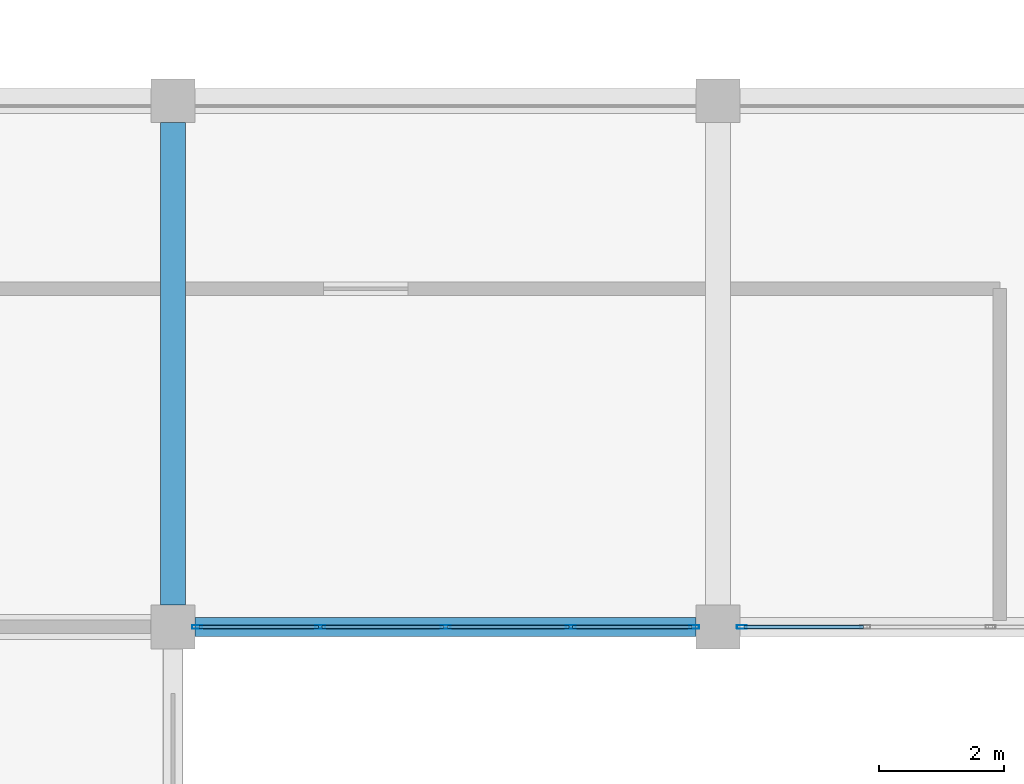
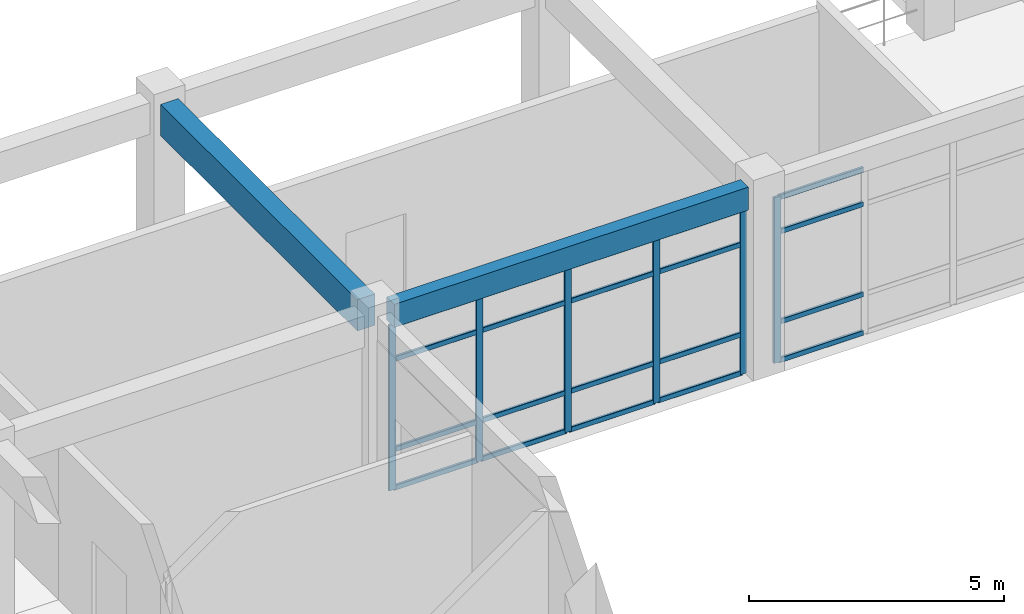
# One storey, part 24 of 76: 26 members, 2 beams, 2 elements without a shape of their own.
"""IFC4 building model written with IfcOpenShell, lengths in metres."""

from ifc_helpers import new_model, si_unit, derived_unit, direction, frame, origin, origin_2d, place, context, subcontext, project, spatial, rectangle, hollow_rectangle, extrude, material, layer, layer_set, material_profile, profile_set, type_object, element, aggregate, save


model = new_model("IFC4")

# Units and contexts
model_context = context("Model", 3, precision=1e-05, world=origin(), true_north=direction((0.0, 1.0)))
body_context = subcontext(model_context, "Body", "Model", "MODEL_VIEW")
ifc_project = project(units=[si_unit("LENGTHUNIT", "METRE"), si_unit("AREAUNIT", "SQUARE_METRE"), si_unit("VOLUMEUNIT", "CUBIC_METRE"), si_unit("PLANEANGLEUNIT", "RADIAN"), si_unit("MASSUNIT", "GRAM", prefix="KILO"), derived_unit("THERMALTRANSMITTANCEUNIT", [(si_unit("MASSUNIT", "GRAM", prefix="KILO"), 1), (si_unit("TIMEUNIT", "SECOND"), -3), (si_unit("THERMODYNAMICTEMPERATUREUNIT", "KELVIN"), -1)])], contexts=[model_context])

# Site, building, storey
site_placement = place(None, origin())
site = spatial("IfcSite", under=ifc_project, at=site_placement, CompositionType="ELEMENT")
building_placement = place(site_placement, origin())
building = spatial("IfcBuilding", under=site, at=building_placement, Name="Qinzheling Arcade Emporium", CompositionType="ELEMENT")
storey_placement = place(building_placement, frame((0.0, 0.0, 26.699951171875)))
storey = spatial("IfcBuildingStorey", under=building, at=storey_placement, Name="L06", CompositionType="ELEMENT", Elevation=26.699951171875)

# Curtain wall, member
ifc_material_1 = material(Name="Anodised aluminium and solar-control double glazing", Category="aluminium")
ifc_layer = layer(ifc_material_1, 0.159912109375, Name="Anodised aluminium and solar-control double glazing", Category="aluminium")
ifc_layer_set = layer_set([ifc_layer], Name="Anodised aluminium and solar-control double glazing")
curtain_wall_type = type_object("IfcCurtainWallType", Name="Atrium Clerestory Curtain Wall", PredefinedType="NOTDEFINED", material=ifc_layer_set)
curtain_wall_1_placement = place(storey_placement, origin())
curtain_wall_1 = element("IfcCurtainWall", 1, at=curtain_wall_1_placement, inside=storey, type_object=curtain_wall_type, Name="Curtain Wall CW-L06-378", PredefinedType="NOTDEFINED")
ifc_material_2 = material(Name="Anodised aluminium 6063-T6", Category="aluminium")
ifc_material_profile_1 = material_profile(ifc_material_2, hollow_rectangle(XDim=0.06005859375, YDim=0.159912109375, WallThickness=0.00390625, InnerFilletRadius=0.00390625, OuterFilletRadius=0.008056640625, at=origin_2d()), Name="RHS 160x60x4", Category="aluminium")
ifc_profile_set_1 = profile_set([ifc_material_profile_1], Name="Anodised aluminium 6063-T6")
member_type_1 = type_object("IfcMemberType", Name="Curtain Wall Mullion RHS160x60", PredefinedType="MULLION", material=ifc_profile_set_1)
member_1_placement = place(storey_placement, frame((78.681884765625, 42.0, 0.0), z_axis=(0.0, 0.0, 1.0), x_axis=(0.0, -1.0, 0.0)))
member_1 = element("IfcMember", 2, at=member_1_placement, type_object=member_type_1, Name="CW03 mullion 5", PredefinedType="MULLION", context=body_context, shape_type="SweptSolid", body=[
    extrude(hollow_rectangle(XDim=0.06005859375, YDim=0.159912109375, WallThickness=0.00390625, InnerFilletRadius=0.00390625, OuterFilletRadius=0.008056640625, at=origin_2d()), origin(), (0.0, 0.0, 1.0), 3.955078125),
])

# Curtain wall, members
curtain_wall_2_placement = place(storey_placement, origin())
curtain_wall_2 = element("IfcCurtainWall", 3, at=curtain_wall_2_placement, inside=storey, type_object=curtain_wall_type, Name="Curtain Wall CW-L06-379", PredefinedType="NOTDEFINED")
member_2_placement = place(storey_placement, frame((77.91796875, 42.0, 0.0), z_axis=(0.0, 0.0, 1.0), x_axis=(0.0, -1.0, 0.0)))
member_2 = element("IfcMember", 4, at=member_2_placement, type_object=member_type_1, Name="CW03 mullion 1", PredefinedType="MULLION", context=body_context, shape_type="SweptSolid", body=[
    extrude(hollow_rectangle(XDim=0.06005859375, YDim=0.159912109375, WallThickness=0.00390625, InnerFilletRadius=0.00390625, OuterFilletRadius=0.008056640625, at=origin_2d()), origin(), (0.0, 0.0, 1.0), 3.955078125),
])
member_3_placement = place(storey_placement, frame((75.948974609375, 42.0, 0.0), z_axis=(0.0, 0.0, 1.0), x_axis=(0.0, -1.0, 0.0)))
member_3 = element("IfcMember", 5, at=member_3_placement, type_object=member_type_1, Name="CW03 mullion 2", PredefinedType="MULLION", context=body_context, shape_type="SweptSolid", body=[
    extrude(hollow_rectangle(XDim=0.06005859375, YDim=0.159912109375, WallThickness=0.00390625, InnerFilletRadius=0.00390625, OuterFilletRadius=0.008056640625, at=origin_2d()), origin(), (0.0, 0.0, 1.0), 3.955078125),
])
member_4_placement = place(storey_placement, frame((73.949951171875, 42.0, 0.0), z_axis=(0.0, 0.0, 1.0), x_axis=(0.0, -1.0, 0.0)))
member_4 = element("IfcMember", 6, at=member_4_placement, type_object=member_type_1, Name="CW03 mullion 3", PredefinedType="MULLION", context=body_context, shape_type="SweptSolid", body=[
    extrude(hollow_rectangle(XDim=0.06005859375, YDim=0.159912109375, WallThickness=0.00390625, InnerFilletRadius=0.00390625, OuterFilletRadius=0.008056640625, at=origin_2d()), origin(), (0.0, 0.0, 1.0), 3.955078125),
])
member_5_placement = place(storey_placement, frame((71.950927734375, 42.0, 0.0), z_axis=(0.0, 0.0, 1.0), x_axis=(0.0, -1.0, 0.0)))
member_5 = element("IfcMember", 7, at=member_5_placement, type_object=member_type_1, Name="CW03 mullion 4", PredefinedType="MULLION", context=body_context, shape_type="SweptSolid", body=[
    extrude(hollow_rectangle(XDim=0.06005859375, YDim=0.159912109375, WallThickness=0.00390625, InnerFilletRadius=0.00390625, OuterFilletRadius=0.008056640625, at=origin_2d()), origin(), (0.0, 0.0, 1.0), 3.955078125),
])
member_6_placement = place(storey_placement, frame((69.98193359375, 42.0, 0.0), z_axis=(0.0, 0.0, 1.0), x_axis=(0.0, -1.0, 0.0)))
member_6 = element("IfcMember", 8, at=member_6_placement, type_object=member_type_1, Name="CW03 mullion 5", PredefinedType="MULLION", context=body_context, shape_type="SweptSolid", body=[
    extrude(hollow_rectangle(XDim=0.06005859375, YDim=0.159912109375, WallThickness=0.00390625, InnerFilletRadius=0.00390625, OuterFilletRadius=0.008056640625, at=origin_2d()), origin(), (0.0, 0.0, 1.0), 3.955078125),
])

# Member
ifc_material_profile_2 = material_profile(ifc_material_2, hollow_rectangle(XDim=0.06005859375, YDim=0.1201171875, WallThickness=0.00390625, InnerFilletRadius=0.00390625, OuterFilletRadius=0.008056640625, at=origin_2d()), Name="RHS 120x60x4", Category="aluminium")
ifc_profile_set_2 = profile_set([ifc_material_profile_2], Name="Anodised aluminium 6063-T6")
member_type_2 = type_object("IfcMemberType", Name="Curtain Wall Transom RHS120x60", PredefinedType="USERDEFINED", material=ifc_profile_set_2)
member_7_placement = place(storey_placement, frame((80.62109375, 42.0, 0.030029296875), z_axis=(-1.0, 0.0, 0.0), x_axis=(0.0, -1.0, 0.0)))
member_7 = element("IfcMember", 9, at=member_7_placement, type_object=member_type_2, Name="CW03 transom 4.1", ObjectType="TRANSOM", PredefinedType="USERDEFINED", context=body_context, shape_type="SweptSolid", body=[
    extrude(hollow_rectangle(XDim=0.06005859375, YDim=0.1201171875, WallThickness=0.00390625, InnerFilletRadius=0.00390625, OuterFilletRadius=0.008056640625, at=origin_2d()), origin(), (0.0, 0.0, 1.0), 1.9091796875),
])

member_8_placement = place(storey_placement, frame((80.62109375, 42.0, 0.949951171875), z_axis=(-1.0, 0.0, 0.0), x_axis=(0.0, -1.0, 0.0)))
member_8 = element("IfcMember", 10, at=member_8_placement, type_object=member_type_2, Name="CW03 transom 4.2", ObjectType="TRANSOM", PredefinedType="USERDEFINED", context=body_context, shape_type="SweptSolid", body=[
    extrude(hollow_rectangle(XDim=0.06005859375, YDim=0.1201171875, WallThickness=0.00390625, InnerFilletRadius=0.00390625, OuterFilletRadius=0.008056640625, at=origin_2d()), origin(), (0.0, 0.0, 1.0), 1.9091796875),
])

member_9_placement = place(storey_placement, frame((80.62109375, 42.0, 3.10498046875), z_axis=(-1.0, 0.0, 0.0), x_axis=(0.0, -1.0, 0.0)))
member_9 = element("IfcMember", 11, at=member_9_placement, type_object=member_type_2, Name="CW03 transom 4.3", ObjectType="TRANSOM", PredefinedType="USERDEFINED", context=body_context, shape_type="SweptSolid", body=[
    extrude(hollow_rectangle(XDim=0.06005859375, YDim=0.1201171875, WallThickness=0.00390625, InnerFilletRadius=0.00390625, OuterFilletRadius=0.008056640625, at=origin_2d()), origin(), (0.0, 0.0, 1.0), 1.9091796875),
])

member_10_placement = place(storey_placement, frame((80.62109375, 42.0, 3.925048828125), z_axis=(-1.0, 0.0, 0.0), x_axis=(0.0, -1.0, 0.0)))
member_10 = element("IfcMember", 12, at=member_10_placement, type_object=member_type_2, Name="CW03 transom 4.4", ObjectType="TRANSOM", PredefinedType="USERDEFINED", context=body_context, shape_type="SweptSolid", body=[
    extrude(hollow_rectangle(XDim=0.06005859375, YDim=0.1201171875, WallThickness=0.00390625, InnerFilletRadius=0.00390625, OuterFilletRadius=0.008056640625, at=origin_2d()), origin(), (0.0, 0.0, 1.0), 1.9091796875),
])

aggregate(curtain_wall_1, [member_1, member_7, member_8, member_9, member_10])

member_11_placement = place(storey_placement, frame((77.887939453125, 42.0, 0.030029296875), z_axis=(-1.0, 0.0, 0.0), x_axis=(0.0, -1.0, 0.0)))
member_11 = element("IfcMember", 13, at=member_11_placement, type_object=member_type_2, Name="CW03 transom 1.1", ObjectType="TRANSOM", PredefinedType="USERDEFINED", context=body_context, shape_type="SweptSolid", body=[
    extrude(hollow_rectangle(XDim=0.06005859375, YDim=0.1201171875, WallThickness=0.00390625, InnerFilletRadius=0.00390625, OuterFilletRadius=0.008056640625, at=origin_2d()), origin(), (0.0, 0.0, 1.0), 1.908935546875),
])

member_12_placement = place(storey_placement, frame((77.887939453125, 42.0, 0.949951171875), z_axis=(-1.0, 0.0, 0.0), x_axis=(0.0, -1.0, 0.0)))
member_12 = element("IfcMember", 14, at=member_12_placement, type_object=member_type_2, Name="CW03 transom 1.2", ObjectType="TRANSOM", PredefinedType="USERDEFINED", context=body_context, shape_type="SweptSolid", body=[
    extrude(hollow_rectangle(XDim=0.06005859375, YDim=0.1201171875, WallThickness=0.00390625, InnerFilletRadius=0.00390625, OuterFilletRadius=0.008056640625, at=origin_2d()), origin(), (0.0, 0.0, 1.0), 1.908935546875),
])

member_13_placement = place(storey_placement, frame((77.887939453125, 42.0, 3.10498046875), z_axis=(-1.0, 0.0, 0.0), x_axis=(0.0, -1.0, 0.0)))
member_13 = element("IfcMember", 15, at=member_13_placement, type_object=member_type_2, Name="CW03 transom 1.3", ObjectType="TRANSOM", PredefinedType="USERDEFINED", context=body_context, shape_type="SweptSolid", body=[
    extrude(hollow_rectangle(XDim=0.06005859375, YDim=0.1201171875, WallThickness=0.00390625, InnerFilletRadius=0.00390625, OuterFilletRadius=0.008056640625, at=origin_2d()), origin(), (0.0, 0.0, 1.0), 1.908935546875),
])

member_14_placement = place(storey_placement, frame((77.887939453125, 42.0, 3.925048828125), z_axis=(-1.0, 0.0, 0.0), x_axis=(0.0, -1.0, 0.0)))
member_14 = element("IfcMember", 16, at=member_14_placement, type_object=member_type_2, Name="CW03 transom 1.4", ObjectType="TRANSOM", PredefinedType="USERDEFINED", context=body_context, shape_type="SweptSolid", body=[
    extrude(hollow_rectangle(XDim=0.06005859375, YDim=0.1201171875, WallThickness=0.00390625, InnerFilletRadius=0.00390625, OuterFilletRadius=0.008056640625, at=origin_2d()), origin(), (0.0, 0.0, 1.0), 1.908935546875),
])

member_15_placement = place(storey_placement, frame((75.9189453125, 42.0, 0.030029296875), z_axis=(-1.0, 0.0, 0.0), x_axis=(0.0, -1.0, 0.0)))
member_15 = element("IfcMember", 17, at=member_15_placement, type_object=member_type_2, Name="CW03 transom 2.1", ObjectType="TRANSOM", PredefinedType="USERDEFINED", context=body_context, shape_type="SweptSolid", body=[
    extrude(hollow_rectangle(XDim=0.06005859375, YDim=0.1201171875, WallThickness=0.00390625, InnerFilletRadius=0.00390625, OuterFilletRadius=0.008056640625, at=origin_2d()), origin(), (0.0, 0.0, 1.0), 1.93896484375),
])

member_16_placement = place(storey_placement, frame((75.9189453125, 42.0, 0.949951171875), z_axis=(-1.0, 0.0, 0.0), x_axis=(0.0, -1.0, 0.0)))
member_16 = element("IfcMember", 18, at=member_16_placement, type_object=member_type_2, Name="CW03 transom 2.2", ObjectType="TRANSOM", PredefinedType="USERDEFINED", context=body_context, shape_type="SweptSolid", body=[
    extrude(hollow_rectangle(XDim=0.06005859375, YDim=0.1201171875, WallThickness=0.00390625, InnerFilletRadius=0.00390625, OuterFilletRadius=0.008056640625, at=origin_2d()), origin(), (0.0, 0.0, 1.0), 1.93896484375),
])

member_17_placement = place(storey_placement, frame((75.9189453125, 42.0, 3.10498046875), z_axis=(-1.0, 0.0, 0.0), x_axis=(0.0, -1.0, 0.0)))
member_17 = element("IfcMember", 19, at=member_17_placement, type_object=member_type_2, Name="CW03 transom 2.3", ObjectType="TRANSOM", PredefinedType="USERDEFINED", context=body_context, shape_type="SweptSolid", body=[
    extrude(hollow_rectangle(XDim=0.06005859375, YDim=0.1201171875, WallThickness=0.00390625, InnerFilletRadius=0.00390625, OuterFilletRadius=0.008056640625, at=origin_2d()), origin(), (0.0, 0.0, 1.0), 1.93896484375),
])

member_18_placement = place(storey_placement, frame((75.9189453125, 42.0, 3.925048828125), z_axis=(-1.0, 0.0, 0.0), x_axis=(0.0, -1.0, 0.0)))
member_18 = element("IfcMember", 20, at=member_18_placement, type_object=member_type_2, Name="CW03 transom 2.4", ObjectType="TRANSOM", PredefinedType="USERDEFINED", context=body_context, shape_type="SweptSolid", body=[
    extrude(hollow_rectangle(XDim=0.06005859375, YDim=0.1201171875, WallThickness=0.00390625, InnerFilletRadius=0.00390625, OuterFilletRadius=0.008056640625, at=origin_2d()), origin(), (0.0, 0.0, 1.0), 1.93896484375),
])

member_19_placement = place(storey_placement, frame((73.919921875, 42.0, 0.030029296875), z_axis=(-1.0, 0.0, 0.0), x_axis=(0.0, -1.0, 0.0)))
member_19 = element("IfcMember", 21, at=member_19_placement, type_object=member_type_2, Name="CW03 transom 3.1", ObjectType="TRANSOM", PredefinedType="USERDEFINED", context=body_context, shape_type="SweptSolid", body=[
    extrude(hollow_rectangle(XDim=0.06005859375, YDim=0.1201171875, WallThickness=0.00390625, InnerFilletRadius=0.00390625, OuterFilletRadius=0.008056640625, at=origin_2d()), origin(), (0.0, 0.0, 1.0), 1.93896484375),
])

member_20_placement = place(storey_placement, frame((73.919921875, 42.0, 0.949951171875), z_axis=(-1.0, 0.0, 0.0), x_axis=(0.0, -1.0, 0.0)))
member_20 = element("IfcMember", 22, at=member_20_placement, type_object=member_type_2, Name="CW03 transom 3.2", ObjectType="TRANSOM", PredefinedType="USERDEFINED", context=body_context, shape_type="SweptSolid", body=[
    extrude(hollow_rectangle(XDim=0.06005859375, YDim=0.1201171875, WallThickness=0.00390625, InnerFilletRadius=0.00390625, OuterFilletRadius=0.008056640625, at=origin_2d()), origin(), (0.0, 0.0, 1.0), 1.93896484375),
])

member_21_placement = place(storey_placement, frame((73.919921875, 42.0, 3.10498046875), z_axis=(-1.0, 0.0, 0.0), x_axis=(0.0, -1.0, 0.0)))
member_21 = element("IfcMember", 23, at=member_21_placement, type_object=member_type_2, Name="CW03 transom 3.3", ObjectType="TRANSOM", PredefinedType="USERDEFINED", context=body_context, shape_type="SweptSolid", body=[
    extrude(hollow_rectangle(XDim=0.06005859375, YDim=0.1201171875, WallThickness=0.00390625, InnerFilletRadius=0.00390625, OuterFilletRadius=0.008056640625, at=origin_2d()), origin(), (0.0, 0.0, 1.0), 1.93896484375),
])

member_22_placement = place(storey_placement, frame((73.919921875, 42.0, 3.925048828125), z_axis=(-1.0, 0.0, 0.0), x_axis=(0.0, -1.0, 0.0)))
member_22 = element("IfcMember", 24, at=member_22_placement, type_object=member_type_2, Name="CW03 transom 3.4", ObjectType="TRANSOM", PredefinedType="USERDEFINED", context=body_context, shape_type="SweptSolid", body=[
    extrude(hollow_rectangle(XDim=0.06005859375, YDim=0.1201171875, WallThickness=0.00390625, InnerFilletRadius=0.00390625, OuterFilletRadius=0.008056640625, at=origin_2d()), origin(), (0.0, 0.0, 1.0), 1.93896484375),
])

member_23_placement = place(storey_placement, frame((71.9208984375, 42.0, 0.030029296875), z_axis=(-1.0, 0.0, 0.0), x_axis=(0.0, -1.0, 0.0)))
member_23 = element("IfcMember", 25, at=member_23_placement, type_object=member_type_2, Name="CW03 transom 4.1", ObjectType="TRANSOM", PredefinedType="USERDEFINED", context=body_context, shape_type="SweptSolid", body=[
    extrude(hollow_rectangle(XDim=0.06005859375, YDim=0.1201171875, WallThickness=0.00390625, InnerFilletRadius=0.00390625, OuterFilletRadius=0.008056640625, at=origin_2d()), origin(), (0.0, 0.0, 1.0), 1.908935546875),
])

member_24_placement = place(storey_placement, frame((71.9208984375, 42.0, 0.949951171875), z_axis=(-1.0, 0.0, 0.0), x_axis=(0.0, -1.0, 0.0)))
member_24 = element("IfcMember", 26, at=member_24_placement, type_object=member_type_2, Name="CW03 transom 4.2", ObjectType="TRANSOM", PredefinedType="USERDEFINED", context=body_context, shape_type="SweptSolid", body=[
    extrude(hollow_rectangle(XDim=0.06005859375, YDim=0.1201171875, WallThickness=0.00390625, InnerFilletRadius=0.00390625, OuterFilletRadius=0.008056640625, at=origin_2d()), origin(), (0.0, 0.0, 1.0), 1.908935546875),
])

member_25_placement = place(storey_placement, frame((71.9208984375, 42.0, 3.10498046875), z_axis=(-1.0, 0.0, 0.0), x_axis=(0.0, -1.0, 0.0)))
member_25 = element("IfcMember", 27, at=member_25_placement, type_object=member_type_2, Name="CW03 transom 4.3", ObjectType="TRANSOM", PredefinedType="USERDEFINED", context=body_context, shape_type="SweptSolid", body=[
    extrude(hollow_rectangle(XDim=0.06005859375, YDim=0.1201171875, WallThickness=0.00390625, InnerFilletRadius=0.00390625, OuterFilletRadius=0.008056640625, at=origin_2d()), origin(), (0.0, 0.0, 1.0), 1.908935546875),
])

member_26_placement = place(storey_placement, frame((71.9208984375, 42.0, 3.925048828125), z_axis=(-1.0, 0.0, 0.0), x_axis=(0.0, -1.0, 0.0)))
member_26 = element("IfcMember", 28, at=member_26_placement, type_object=member_type_2, Name="CW03 transom 4.4", ObjectType="TRANSOM", PredefinedType="USERDEFINED", context=body_context, shape_type="SweptSolid", body=[
    extrude(hollow_rectangle(XDim=0.06005859375, YDim=0.1201171875, WallThickness=0.00390625, InnerFilletRadius=0.00390625, OuterFilletRadius=0.008056640625, at=origin_2d()), origin(), (0.0, 0.0, 1.0), 1.908935546875),
])

aggregate(curtain_wall_2, [member_2, member_3, member_4, member_5, member_6, member_11, member_12, member_13, member_14, member_15, member_16, member_17, member_18, member_19, member_20, member_21, member_22, member_23, member_24, member_25, member_26])

# Beams
ifc_material_3 = material(Name="Concrete C40", Category="concrete")
ifc_material_profile_3 = material_profile(ifc_material_3, rectangle(XDim=0.39990234375, YDim=0.75, at=origin_2d()), Name="RC 400x750", Category="concrete")
ifc_profile_set_3 = profile_set([ifc_material_profile_3], Name="Concrete C40")
beam_type_1 = type_object("IfcBeamType", Name="RC Interior Tie Beam 400x750 C40", PredefinedType="BEAM", material=ifc_profile_set_3)
beam_1_placement = place(storey_placement, frame((69.60009765625, 42.35009765625, 4.14501953125), z_axis=(0.0, 1.0, 0.0), x_axis=(-1.0, 0.0, 0.0)))
element("IfcBeam", 29, at=beam_1_placement, inside=storey, type_object=beam_type_1, Name="Beam BM-L06-Y-9-F", PredefinedType="BEAM", context=body_context, shape_type="SweptSolid", body=[
    extrude(rectangle(XDim=0.39990234375, YDim=0.75, at=origin_2d()), origin(), (0.0, 0.0, 1.0), 7.699951171875),
])
ifc_material_profile_4 = material_profile(ifc_material_3, rectangle(XDim=0.300048828125, YDim=0.550048828125, at=origin_2d()), Name="RC 300x550", Category="concrete")
ifc_profile_set_4 = profile_set([ifc_material_profile_4], Name="Concrete C40")
beam_type_2 = type_object("IfcBeamType", Name="RC Terrace Spandrel Beam 300x550 C40", PredefinedType="SPANDREL", material=ifc_profile_set_4)
beam_2_placement = place(storey_placement, frame((69.949951171875, 42.0, 4.2451171875), z_axis=(1.0, 0.0, 0.0), x_axis=(0.0, 1.0, 0.0)))
element("IfcBeam", 30, at=beam_2_placement, inside=storey, type_object=beam_type_2, Name="Beam BM-L06-X-F-9", PredefinedType="SPANDREL", context=body_context, shape_type="SweptSolid", body=[
    extrude(rectangle(XDim=0.300048828125, YDim=0.550048828125, at=origin_2d()), origin(), (0.0, 0.0, 1.0), 8.0),
])

save(model, "model.ifc")
